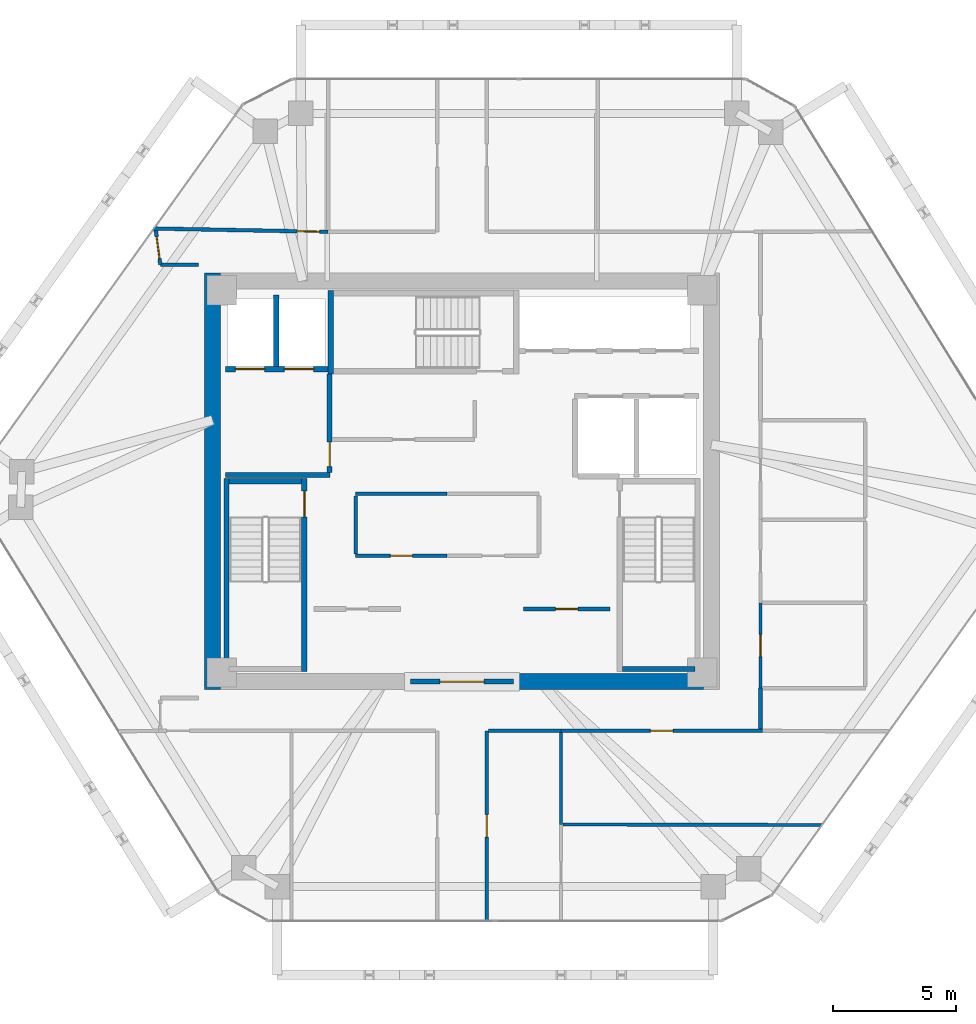
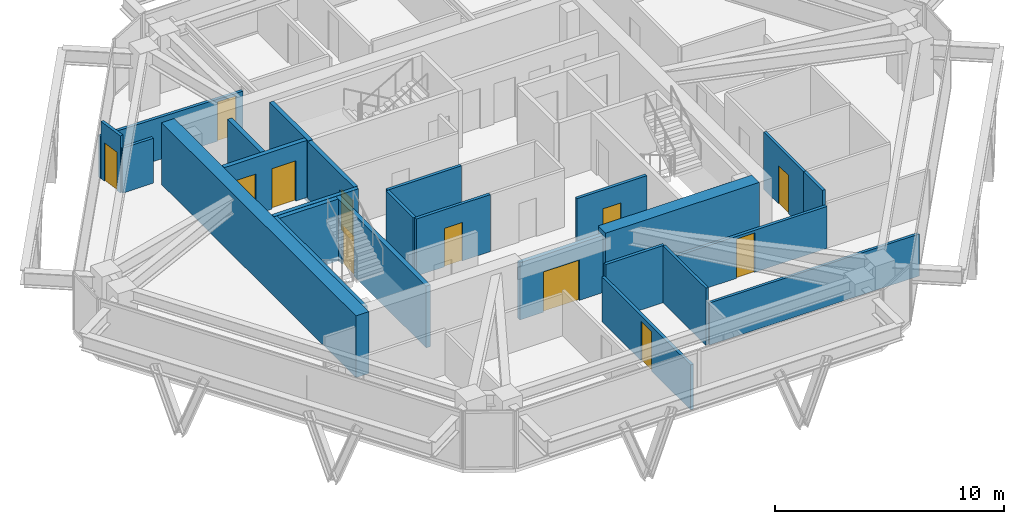
# One storey, part 8 of 11: 26 walls, 12 doors, 12 openings.
"""IFC4 building model written with IfcOpenShell, lengths in metres."""

from ifc_helpers import new_model, si_unit, direction, frame, frame_2d, origin, place, context, subcontext, project, spatial, rectangle, extrude, source, transform, mapped, material, layer, layer_set, type_object, type_shapes, element, fill, save


model = new_model("IFC4")

# Units and contexts
model_context = context("Model", 3, precision=1e-05, world=origin(), true_north=direction((0.0, 1.0)))
body_context = subcontext(model_context, "Body", "Model", "MODEL_VIEW")
ifc_project = project(units=[si_unit("LENGTHUNIT", "METRE"), si_unit("AREAUNIT", "SQUARE_METRE"), si_unit("VOLUMEUNIT", "CUBIC_METRE"), si_unit("PLANEANGLEUNIT", "RADIAN"), si_unit("MASSUNIT", "GRAM", prefix="KILO")], contexts=[model_context])

# Site, building, storey
site_placement = place(None, origin())
site = spatial("IfcSite", under=ifc_project, at=site_placement, CompositionType="ELEMENT")
building_placement = place(site_placement, origin())
building = spatial("IfcBuilding", under=site, at=building_placement, Name="Durnholm Broadcast Tower", CompositionType="ELEMENT")
storey_placement = place(building_placement, frame((0.0, 0.0, 183.699951171875)))
storey = spatial("IfcBuildingStorey", under=building, at=storey_placement, Name="L50", CompositionType="ELEMENT", Elevation=183.699951171875)

# Walls
ifc_material_1 = material(Name="Concrete C70/85", Category="concrete")
ifc_layer_1 = layer(ifc_material_1, 0.64990234375)
ifc_layer_set_1 = layer_set([ifc_layer_1], Name="Concrete C70/85")
wall_type_1 = type_object("IfcWallType", Name="WALL-CW-650", PredefinedType="SHEAR", material=ifc_layer_set_1)
wall_1_placement = place(storey_placement, frame((-10.175048828125, -8.5, 0.0), z_axis=(0.0, 0.0, 1.0), x_axis=(0.0, 1.0, 0.0)))
element("IfcWall", 1, at=wall_1_placement, inside=storey, type_object=wall_type_1, Name="L50 central core shear wall CW-WEST", PredefinedType="SHEAR", context=body_context, shape_type="SweptSolid", body=[
    extrude(rectangle(XDim=17.0, YDim=0.64990234375, at=frame_2d((8.5, 0.0))), origin(), (0.0, 0.0, 1.0), 3.300048828125),
])
wall_2_placement = place(storey_placement, frame((2.10009765625, -8.175048828125, 0.0), z_axis=(0.0, 0.0, 1.0), x_axis=(1.0, 0.0, 0.0)))
element("IfcWall", 2, at=wall_2_placement, inside=storey, type_object=wall_type_1, Name="L50 central core shear wall CW-S2", PredefinedType="SHEAR", context=body_context, shape_type="SweptSolid", body=[
    extrude(rectangle(XDim=7.75, YDim=0.64990234375, at=frame_2d((3.875, 0.0))), origin(), (0.0, 0.0, 1.0), 3.300048828125),
])

# Wall, opening, door
ifc_material_2 = material(Name="Fire-Rated Gypsum Shaftwall", Category="concrete")
ifc_layer_2 = layer(ifc_material_2, 0.199951171875)
ifc_layer_set_2 = layer_set([ifc_layer_2], Name="Fire-Rated Gypsum Shaftwall")
wall_type_2 = type_object("IfcWallType", Name="WALL-LOB-200", PredefinedType="SOLIDWALL", material=ifc_layer_set_2)
wall_3_placement = place(storey_placement, frame((-2.10009765625, -8.175048828125, 0.0), z_axis=(0.0, 0.0, 1.0), x_axis=(1.0, 0.0, 0.0)))
wall_3 = element("IfcWall", 3, at=wall_3_placement, inside=storey, type_object=wall_type_2, Name="L50 south core lobby fire screen", PredefinedType="SOLIDWALL", context=body_context, shape_type="SweptSolid", body=[
    extrude(rectangle(XDim=4.2001953125, YDim=0.199951171875, at=frame_2d((2.10009765625, 0.0))), origin(), (0.0, 0.0, 1.0), 3.045166015625),
])
opening_1_placement = place(wall_3_placement, frame((1.199951171875, 0.0, 0.0)))
opening_1 = element("IfcOpeningElement", 4, at=opening_1_placement, cuts=wall_3, Name="Opening DP-60", PredefinedType="OPENING", context=body_context, shape_type="SweptSolid", body=[
    extrude(rectangle(XDim=1.800048828125, YDim=2.14990234375, at=frame_2d((0.89990234375, 1.074951171875))), frame((0.0, 0.10986328125, 0.0), z_axis=(0.0, -1.0, 0.0), x_axis=(1.0, 0.0, 0.0)), (0.0, 0.0, 1.0), 0.219970703125),
])
ifc_material_3 = material(Name="Fire-Rated Double Corridor Door", Category="steel")
ifc_layer_3 = layer(ifc_material_3, 0.050048828125)
ifc_layer_set_3 = layer_set([ifc_layer_3], Name="Fire-Rated Double Corridor Door")
door_type_1 = type_object("IfcDoorType", Name="DOOR-PAIR-FD60", OperationType="DOUBLE_DOOR_SINGLE_SWING", PredefinedType="DOOR", material=ifc_layer_set_3)
shared_shape_1 = source(origin(), body_context, "Body", "SweptSolid", [
    extrude(rectangle(XDim=1.800048828125, YDim=2.14990234375, at=frame_2d((0.89990234375, 1.074951171875))), frame((0.0, 0.02490234375, 0.0), z_axis=(0.0, -1.0, 0.0), x_axis=(1.0, 0.0, 0.0)), (0.0, 0.0, 1.0), 0.050048828125),
])
type_shapes(door_type_1, [shared_shape_1])
door_1_placement = place(opening_1_placement, origin())
door_1 = element("IfcDoor", 5, at=door_1_placement, inside=storey, type_object=door_type_1, Name="L50 south core lobby double fire door", OperationType="DOUBLE_DOOR_SINGLE_SWING", OverallHeight=2.14990234375, OverallWidth=1.800048828125, PredefinedType="DOOR", context=body_context, shape_type="MappedRepresentation", body=[
    mapped(shared_shape_1, transform((0.0, 0.0, 0.0), x_axis=(1.0, 0.0, 0.0), y_axis=(0.0, 1.0, 0.0), z_axis=(0.0, 0.0, 1.0), scale=1.0)),
])
fill(opening_1, door_1)

# Wall
wall_4_placement = place(storey_placement, frame((-9.64990234375, 0.25, 0.0), z_axis=(0.0, 0.0, 1.0), x_axis=(1.0, 0.0, 0.0)))
element("IfcWall", 6, at=wall_4_placement, inside=storey, type_object=wall_type_2, Name="L50 Fire Service Access Elevator lobby south wall", PredefinedType="SOLIDWALL", context=body_context, shape_type="SweptSolid", body=[
    extrude(rectangle(XDim=4.27001953125, YDim=0.199951171875, at=frame_2d((2.135009765625, 0.0))), origin(), (0.0, 0.0, 1.0), 3.045166015625),
])

# Wall, opening, door
wall_5_placement = place(storey_placement, frame((-5.39990234375, 0.35400390625, 0.0), z_axis=(0.0, 0.0, 1.0), x_axis=(0.0, 1.0, 0.0)))
wall_5 = element("IfcWall", 7, at=wall_5_placement, inside=storey, type_object=wall_type_2, Name="L50 Fire Service Access Elevator lobby east fire wall", PredefinedType="SOLIDWALL", context=body_context, shape_type="SweptSolid", body=[
    extrude(rectangle(XDim=4.02587890625, YDim=0.199951171875, at=frame_2d((2.012939453125, 0.0))), origin(), (0.0, 0.0, 1.0), 3.045166015625),
])
opening_2_placement = place(wall_5_placement, frame((0.24609375, 0.0, 0.0)))
opening_2 = element("IfcOpeningElement", 8, at=opening_2_placement, cuts=wall_5, Name="Opening DL-60L", PredefinedType="OPENING", context=body_context, shape_type="SweptSolid", body=[
    extrude(rectangle(XDim=1.0, YDim=2.14990234375, at=frame_2d((0.5, 1.074951171875))), frame((0.0, 0.10986328125, 0.0), z_axis=(0.0, -1.0, 0.0), x_axis=(1.0, 0.0, 0.0)), (0.0, 0.0, 1.0), 0.219970703125),
])
ifc_material_4 = material(Name="Fire-Rated Timber/Steel Door", Category="steel")
ifc_layer_4 = layer(ifc_material_4, 0.050048828125)
ifc_layer_set_4 = layer_set([ifc_layer_4], Name="Fire-Rated Timber/Steel Door")
door_type_2 = type_object("IfcDoorType", Name="DOOR-LOB-FD60-L", OperationType="NOTDEFINED", PredefinedType="DOOR", material=ifc_layer_set_4)
shared_shape_2 = source(origin(), body_context, "Body", "SweptSolid", [
    extrude(rectangle(XDim=1.0, YDim=2.14990234375, at=frame_2d((0.5, 1.074951171875))), frame((0.0, 0.02490234375, 0.0), z_axis=(0.0, -1.0, 0.0), x_axis=(1.0, 0.0, 0.0)), (0.0, 0.0, 1.0), 0.050048828125),
])
type_shapes(door_type_2, [shared_shape_2])
door_2_placement = place(opening_2_placement, origin())
door_2 = element("IfcDoor", 9, at=door_2_placement, inside=storey, type_object=door_type_2, Name="L50 Fire Service Access Elevator lobby smoke door", OperationType="SINGLE_SWING_LEFT", OverallHeight=2.14990234375, OverallWidth=1.0, PredefinedType="DOOR", context=body_context, shape_type="MappedRepresentation", body=[
    mapped(shared_shape_2, transform((0.0, 0.0, 0.0), x_axis=(1.0, 0.0, 0.0), y_axis=(0.0, 1.0, 0.0), z_axis=(0.0, 0.0, 1.0), scale=1.0)),
])
fill(opening_2, door_2)

# Walls
ifc_material_5 = material(Name="Gypsum Metal Stud Partition", Category="concrete")
ifc_layer_5 = layer(ifc_material_5, 0.135009765625)
ifc_layer_set_5 = layer_set([ifc_layer_5], Name="Gypsum Metal Stud Partition")
wall_type_3 = type_object("IfcWallType", Name="WALL-PART-135", PredefinedType="PARTITIONING", material=ifc_layer_set_5)
wall_6_placement = place(storey_placement, frame((4.0400390625, -10.259033203125, 0.0), z_axis=(0.0, 0.0, 1.0), x_axis=(0.0, -1.0, 0.0)))
element("IfcWall", 10, at=wall_6_placement, inside=storey, type_object=wall_type_3, Name="L50 room dividing partition 15.17", PredefinedType="PARTITIONING", context=body_context, shape_type="SweptSolid", body=[
    extrude(rectangle(XDim=3.741943359375, YDim=0.135009765625, at=frame_2d((1.87109375, 0.0))), origin(), (0.0, 0.0, 1.0), 3.045166015625),
])
wall_7_placement = place(storey_placement, frame((4.111572265625, -14.001220703125, 0.0), z_axis=(0.0, 0.0, 1.0), x_axis=(0.999997597863, -0.002191864053, 0.0)))
element("IfcWall", 11, at=wall_7_placement, inside=storey, type_object=wall_type_3, Name="L50 room dividing partition 16.17", PredefinedType="PARTITIONING", context=body_context, shape_type="SweptSolid", body=[
    extrude(rectangle(XDim=10.58154296875, YDim=0.135009765625, at=frame_2d((5.290771484375, 0.0))), origin(), (0.0, 0.0, 1.0), 2.241943359375),
])

# Wall, opening, door
ifc_material_6 = material(Name="Acoustic Gypsum Stud Partition", Category="concrete")
ifc_layer_6 = layer(ifc_material_6, 0.14990234375)
ifc_layer_set_6 = layer_set([ifc_layer_6], Name="Acoustic Gypsum Stud Partition")
wall_type_4 = type_object("IfcWallType", Name="WALL-PART-150", PredefinedType="PARTITIONING", material=ifc_layer_set_6)
wall_8_placement = place(storey_placement, frame((2.510009765625, -5.2099609375, 0.0), z_axis=(0.0, 0.0, 1.0), x_axis=(1.0, 0.0, 0.0)))
wall_8 = element("IfcWall", 12, at=wall_8_placement, inside=storey, type_object=wall_type_4, Name="L50 Editorial Beverage Pantry corridor partition", PredefinedType="PARTITIONING", context=body_context, shape_type="SweptSolid", body=[
    extrude(rectangle(XDim=3.530029296875, YDim=0.14990234375, at=frame_2d((1.76513671875, 0.0))), origin(), (0.0, 0.0, 1.0), 3.045166015625),
])
opening_3_placement = place(wall_8_placement, frame((1.31494140625, 0.0, 0.0)))
opening_3 = element("IfcOpeningElement", 13, at=opening_3_placement, cuts=wall_8, Name="Opening DC-60R", PredefinedType="OPENING", context=body_context, shape_type="SweptSolid", body=[
    extrude(rectangle(XDim=0.89990234375, YDim=2.050048828125, at=frame_2d((0.449951171875, 1.02490234375))), frame((0.0, 0.0849609375, 0.0), z_axis=(0.0, -1.0, 0.0), x_axis=(1.0, 0.0, 0.0)), (0.0, 0.0, 1.0), 0.169921875),
])
ifc_material_7 = material(Name="Fire-Rated Core Service Door", Category="steel")
ifc_layer_7 = layer(ifc_material_7, 0.050048828125)
ifc_layer_set_7 = layer_set([ifc_layer_7], Name="Fire-Rated Core Service Door")
door_type_3 = type_object("IfcDoorType", Name="DOOR-CORE-FD60-R", OperationType="NOTDEFINED", PredefinedType="DOOR", material=ifc_layer_set_7)
shared_shape_3 = source(origin(), body_context, "Body", "SweptSolid", [
    extrude(rectangle(XDim=0.89990234375, YDim=2.050048828125, at=frame_2d((0.449951171875, 1.02490234375))), frame((0.0, 0.02490234375, 0.0), z_axis=(0.0, -1.0, 0.0), x_axis=(1.0, 0.0, 0.0)), (0.0, 0.0, 1.0), 0.050048828125),
])
type_shapes(door_type_3, [shared_shape_3])
door_3_placement = place(opening_3_placement, origin())
door_3 = element("IfcDoor", 14, at=door_3_placement, inside=storey, type_object=door_type_3, Name="L50 Editorial Beverage Pantry entrance door", OperationType="SINGLE_SWING_RIGHT", OverallHeight=2.050048828125, OverallWidth=0.89990234375, PredefinedType="DOOR", context=body_context, shape_type="MappedRepresentation", body=[
    mapped(shared_shape_3, transform((0.0, 0.0, 0.0), x_axis=(1.0, 0.0, 0.0), y_axis=(0.0, 1.0, 0.0), z_axis=(0.0, 0.0, 1.0), scale=1.0)),
])
fill(opening_3, door_3)

wall_9_placement = place(storey_placement, frame((-0.610107421875, -3.0400390625, 0.0), z_axis=(0.0, 0.0, 1.0), x_axis=(-1.0, 0.0, 0.0)))
wall_9 = element("IfcWall", 15, at=wall_9_placement, inside=storey, type_object=wall_type_4, Name="L50 Digital Tape Archive Store corridor partition", PredefinedType="PARTITIONING", context=body_context, shape_type="SweptSolid", body=[
    extrude(rectangle(XDim=3.72998046875, YDim=0.14990234375, at=frame_2d((1.864990234375, 0.0))), origin(), (0.0, 0.0, 1.0), 3.045166015625),
])
opening_4_placement = place(wall_9_placement, frame((1.4150390625, 0.0, 0.0)))
opening_4 = element("IfcOpeningElement", 16, at=opening_4_placement, cuts=wall_9, Name="Opening DC-60L", PredefinedType="OPENING", context=body_context, shape_type="SweptSolid", body=[
    extrude(rectangle(XDim=0.89990234375, YDim=2.050048828125, at=frame_2d((0.449951171875, 1.02490234375))), frame((0.0, 0.0849609375, 0.0), z_axis=(0.0, -1.0, 0.0), x_axis=(1.0, 0.0, 0.0)), (0.0, 0.0, 1.0), 0.169921875),
])
ifc_layer_8 = layer(ifc_material_7, 0.050048828125)
ifc_layer_set_8 = layer_set([ifc_layer_8], Name="Fire-Rated Core Service Door")
door_type_4 = type_object("IfcDoorType", Name="DOOR-CORE-FD60-L", OperationType="NOTDEFINED", PredefinedType="DOOR", material=ifc_layer_set_8)
shared_shape_4 = source(origin(), body_context, "Body", "SweptSolid", [
    extrude(rectangle(XDim=0.89990234375, YDim=2.050048828125, at=frame_2d((0.449951171875, 1.02490234375))), frame((0.0, 0.02490234375, 0.0), z_axis=(0.0, -1.0, 0.0), x_axis=(1.0, 0.0, 0.0)), (0.0, 0.0, 1.0), 0.050048828125),
])
type_shapes(door_type_4, [shared_shape_4])
door_4_placement = place(opening_4_placement, origin())
door_4 = element("IfcDoor", 17, at=door_4_placement, inside=storey, type_object=door_type_4, Name="L50 Digital Tape Archive Store entrance door", OperationType="SINGLE_SWING_LEFT", OverallHeight=2.050048828125, OverallWidth=0.89990234375, PredefinedType="DOOR", context=body_context, shape_type="MappedRepresentation", body=[
    mapped(shared_shape_4, transform((0.0, 0.0, 0.0), x_axis=(1.0, 0.0, 0.0), y_axis=(0.0, 1.0, 0.0), z_axis=(0.0, 0.0, 1.0), scale=1.0)),
])
fill(opening_4, door_4)

# Walls
wall_10_placement = place(storey_placement, frame((-4.340087890625, -0.510009765625, 0.0), z_axis=(0.0, 0.0, 1.0), x_axis=(1.0, 0.0, 0.0)))
element("IfcWall", 18, at=wall_10_placement, inside=storey, type_object=wall_type_4, Name="L50 Digital Tape Archive Store corridor partition", PredefinedType="PARTITIONING", context=body_context, shape_type="SweptSolid", body=[
    extrude(rectangle(XDim=3.72998046875, YDim=0.14990234375, at=frame_2d((1.864990234375, 0.0))), origin(), (0.0, 0.0, 1.0), 3.045166015625),
])
wall_11_placement = place(storey_placement, frame((-4.340087890625, -2.9609375, 0.0), z_axis=(0.0, 0.0, 1.0), x_axis=(0.0, 1.0, 0.0)))
element("IfcWall", 19, at=wall_11_placement, inside=storey, type_object=wall_type_4, Name="L50 Digital Tape Archive Store corridor partition", PredefinedType="PARTITIONING", context=body_context, shape_type="SweptSolid", body=[
    extrude(rectangle(XDim=2.371826171875, YDim=0.14990234375, at=frame_2d((1.18603515625, 0.0))), origin(), (0.0, 0.0, 1.0), 3.045166015625),
])

# Wall, opening, door
wall_12_placement = place(storey_placement, frame((-5.4599609375, 10.179931640625, 0.0), z_axis=(0.0, 0.0, 1.0), x_axis=(-0.99981828266, 0.019063096779, 0.0)))
wall_12 = element("IfcWall", 20, at=wall_12_placement, inside=storey, type_object=wall_type_4, Name="L50 Open Plan Broadcast Workspace 2 corridor partition", PredefinedType="PARTITIONING", context=body_context, shape_type="SweptSolid", body=[
    extrude(rectangle(XDim=7.12060546875, YDim=0.14990234375, at=frame_2d((3.560302734375, 0.0))), origin(), (0.0, 0.0, 1.0), 2.241943359375),
])
opening_5_placement = place(wall_12_placement, frame((0.35009765625, 0.0, 0.0)))
opening_5 = element("IfcOpeningElement", 21, at=opening_5_placement, cuts=wall_12, Name="Opening DR-92L", PredefinedType="OPENING", context=body_context, shape_type="SweptSolid", body=[
    extrude(rectangle(XDim=0.919921875, YDim=2.10009765625, at=frame_2d((0.4599609375, 1.050048828125))), frame((0.0, 0.0849609375, 0.0), z_axis=(0.0, -1.0, 0.0), x_axis=(1.0, 0.0, 0.0)), (0.0, 0.0, 1.0), 0.169921875),
])
ifc_material_8 = material(Name="Oak Veneer Office Door", Category="wood")
ifc_layer_9 = layer(ifc_material_8, 0.050048828125)
ifc_layer_set_9 = layer_set([ifc_layer_9], Name="Oak Veneer Office Door")
door_type_5 = type_object("IfcDoorType", Name="DOOR-RM-920L", OperationType="NOTDEFINED", PredefinedType="DOOR", material=ifc_layer_set_9)
shared_shape_5 = source(origin(), body_context, "Body", "SweptSolid", [
    extrude(rectangle(XDim=0.919921875, YDim=2.10009765625, at=frame_2d((0.4599609375, 1.050048828125))), frame((0.0, 0.02490234375, 0.0), z_axis=(0.0, -1.0, 0.0), x_axis=(1.0, 0.0, 0.0)), (0.0, 0.0, 1.0), 0.050048828125),
])
type_shapes(door_type_5, [shared_shape_5])
door_5_placement = place(opening_5_placement, origin())
door_5 = element("IfcDoor", 22, at=door_5_placement, inside=storey, type_object=door_type_5, Name="L50 Open Plan Broadcast Workspace 2 entrance door", OperationType="SINGLE_SWING_LEFT", OverallHeight=2.10009765625, OverallWidth=0.919921875, PredefinedType="DOOR", context=body_context, shape_type="MappedRepresentation", body=[
    mapped(shared_shape_5, transform((0.0, 0.0, 0.0), x_axis=(1.0, 0.0, 0.0), y_axis=(0.0, 1.0, 0.0), z_axis=(0.0, 0.0, 1.0), scale=1.0)),
])
fill(opening_5, door_5)

wall_13_placement = place(storey_placement, frame((1.010009765625, -17.94189453125, 0.0), z_axis=(0.0, 0.0, 1.0), x_axis=(0.0, 1.0, 0.0)))
wall_13 = element("IfcWall", 23, at=wall_13_placement, inside=storey, type_object=wall_type_4, Name="L50 Design Critique Lounge corridor partition", PredefinedType="PARTITIONING", context=body_context, shape_type="SweptSolid", body=[
    extrude(rectangle(XDim=7.761962890625, YDim=0.14990234375, at=frame_2d((3.880859375, 0.0))), origin(), (0.0, 0.0, 1.0), 2.39892578125),
])
opening_6_placement = place(wall_13_placement, frame((3.4208984375, 0.0, 0.0)))
opening_6 = element("IfcOpeningElement", 24, at=opening_6_placement, cuts=wall_13, Name="Opening DR-92L", PredefinedType="OPENING", context=body_context, shape_type="SweptSolid", body=[
    extrude(rectangle(XDim=0.919921875, YDim=2.10009765625, at=frame_2d((0.4599609375, 1.050048828125))), frame((0.0, 0.0849609375, 0.0), z_axis=(0.0, -1.0, 0.0), x_axis=(1.0, 0.0, 0.0)), (0.0, 0.0, 1.0), 0.169921875),
])
door_6_placement = place(opening_6_placement, origin())
door_6 = element("IfcDoor", 25, at=door_6_placement, inside=storey, type_object=door_type_5, Name="L50 Design Critique Lounge entrance door", OperationType="SINGLE_SWING_LEFT", OverallHeight=2.10009765625, OverallWidth=0.919921875, PredefinedType="DOOR", context=body_context, shape_type="MappedRepresentation", body=[
    mapped(shared_shape_5, transform((0.0, 0.0, 0.0), x_axis=(1.0, 0.0, 0.0), y_axis=(0.0, 1.0, 0.0), z_axis=(0.0, 0.0, 1.0), scale=1.0)),
])
fill(opening_6, door_6)

# Wall
wall_14_placement = place(storey_placement, frame((1.089111328125, -10.179931640625, 0.0), z_axis=(0.0, 0.0, 1.0), x_axis=(1.0, 0.0, 0.0)))
element("IfcWall", 26, at=wall_14_placement, inside=storey, type_object=wall_type_4, Name="L50 Design Critique Lounge corridor partition", PredefinedType="PARTITIONING", context=body_context, shape_type="SweptSolid", body=[
    extrude(rectangle(XDim=2.950927734375, YDim=0.14990234375, at=frame_2d((1.4755859375, 0.0))), origin(), (0.0, 0.0, 1.0), 3.045166015625),
])

# Wall, opening, door
wall_15_placement = place(storey_placement, frame((4.0400390625, -10.179931640625, 0.0), z_axis=(0.0, 0.0, 1.0), x_axis=(1.0, 0.0, 0.0)))
wall_15 = element("IfcWall", 27, at=wall_15_placement, inside=storey, type_object=wall_type_4, Name="L50 Subscriber Viewing Lounge 2 corridor partition", PredefinedType="PARTITIONING", context=body_context, shape_type="SweptSolid", body=[
    extrude(rectangle(XDim=8.219970703125, YDim=0.14990234375, at=frame_2d((4.10986328125, 0.0))), origin(), (0.0, 0.0, 1.0), 2.241943359375),
])
opening_7_placement = place(wall_15_placement, frame((3.64990234375, 0.0, 0.0)))
opening_7 = element("IfcOpeningElement", 28, at=opening_7_placement, cuts=wall_15, Name="Opening DR-92R", PredefinedType="OPENING", context=body_context, shape_type="SweptSolid", body=[
    extrude(rectangle(XDim=0.919921875, YDim=2.10009765625, at=frame_2d((0.4599609375, 1.050048828125))), frame((0.0, 0.0849609375, 0.0), z_axis=(0.0, -1.0, 0.0), x_axis=(1.0, 0.0, 0.0)), (0.0, 0.0, 1.0), 0.169921875),
])
ifc_layer_10 = layer(ifc_material_8, 0.050048828125)
ifc_layer_set_10 = layer_set([ifc_layer_10], Name="Oak Veneer Office Door")
door_type_6 = type_object("IfcDoorType", Name="DOOR-RM-920R", OperationType="NOTDEFINED", PredefinedType="DOOR", material=ifc_layer_set_10)
shared_shape_6 = source(origin(), body_context, "Body", "SweptSolid", [
    extrude(rectangle(XDim=0.919921875, YDim=2.10009765625, at=frame_2d((0.4599609375, 1.050048828125))), frame((0.0, 0.02490234375, 0.0), z_axis=(0.0, -1.0, 0.0), x_axis=(1.0, 0.0, 0.0)), (0.0, 0.0, 1.0), 0.050048828125),
])
type_shapes(door_type_6, [shared_shape_6])
door_7_placement = place(opening_7_placement, origin())
door_7 = element("IfcDoor", 29, at=door_7_placement, inside=storey, type_object=door_type_6, Name="L50 Subscriber Viewing Lounge 2 entrance door", OperationType="SINGLE_SWING_RIGHT", OverallHeight=2.10009765625, OverallWidth=0.919921875, PredefinedType="DOOR", context=body_context, shape_type="MappedRepresentation", body=[
    mapped(shared_shape_6, transform((0.0, 0.0, 0.0), x_axis=(1.0, 0.0, 0.0), y_axis=(0.0, 1.0, 0.0), z_axis=(0.0, 0.0, 1.0), scale=1.0)),
])
fill(opening_7, door_7)

# Wall
wall_16_placement = place(storey_placement, frame((-12.31005859375, 8.840087890625, 0.0), z_axis=(0.0, 0.0, 1.0), x_axis=(1.0, 0.0, 0.0)))
element("IfcWall", 30, at=wall_16_placement, inside=storey, type_object=wall_type_4, Name="L50 Streaming Auditorium corridor partition", PredefinedType="PARTITIONING", context=body_context, shape_type="SweptSolid", body=[
    extrude(rectangle(XDim=1.550048828125, YDim=0.14990234375, at=frame_2d((0.77490234375, 0.0))), origin(), (0.0, 0.0, 1.0), 2.39892578125),
])

# Wall, opening, door
wall_17_placement = place(storey_placement, frame((-12.491943359375, 10.23486328125, 0.0), z_axis=(0.0, 0.0, 1.0), x_axis=(0.129309502928, -0.991604282187, 0.0)))
wall_17 = element("IfcWall", 31, at=wall_17_placement, inside=storey, type_object=wall_type_4, Name="L50 Streaming Auditorium corridor partition", PredefinedType="PARTITIONING", context=body_context, shape_type="SweptSolid", body=[
    extrude(rectangle(XDim=1.406494140625, YDim=0.14990234375, at=frame_2d((0.703125, 0.0))), origin(), (0.0, 0.0, 1.0), 3.045166015625),
])
opening_8_placement = place(wall_17_placement, frame((0.25341796875, 0.0, 0.0)))
opening_8 = element("IfcOpeningElement", 32, at=opening_8_placement, cuts=wall_17, Name="Opening DW-90R", PredefinedType="OPENING", context=body_context, shape_type="SweptSolid", body=[
    extrude(rectangle(XDim=0.89990234375, YDim=2.050048828125, at=frame_2d((0.449951171875, 1.02490234375))), frame((0.0, 0.0849609375, 0.0), z_axis=(0.0, -1.0, 0.0), x_axis=(1.0, 0.0, 0.0)), (0.0, 0.0, 1.0), 0.169921875),
])
ifc_material_9 = material(Name="Laminate Restroom Door", Category="steel")
ifc_layer_11 = layer(ifc_material_9, 0.050048828125)
ifc_layer_set_11 = layer_set([ifc_layer_11], Name="Laminate Restroom Door")
door_type_7 = type_object("IfcDoorType", Name="DOOR-WC-900R", OperationType="NOTDEFINED", PredefinedType="DOOR", material=ifc_layer_set_11)
shared_shape_7 = source(origin(), body_context, "Body", "SweptSolid", [
    extrude(rectangle(XDim=0.89990234375, YDim=2.050048828125, at=frame_2d((0.449951171875, 1.02490234375))), frame((0.0, 0.02490234375, 0.0), z_axis=(0.0, -1.0, 0.0), x_axis=(1.0, 0.0, 0.0)), (0.0, 0.0, 1.0), 0.050048828125),
])
type_shapes(door_type_7, [shared_shape_7])
door_8_placement = place(opening_8_placement, origin())
door_8 = element("IfcDoor", 33, at=door_8_placement, inside=storey, type_object=door_type_7, Name="L50 Streaming Auditorium entrance door", OperationType="SINGLE_SWING_RIGHT", OverallHeight=2.050048828125, OverallWidth=0.89990234375, PredefinedType="DOOR", context=body_context, shape_type="MappedRepresentation", body=[
    mapped(shared_shape_7, transform((0.0, 0.0, 0.0), x_axis=(1.0, 0.0, 0.0), y_axis=(0.0, 1.0, 0.0), z_axis=(0.0, 0.0, 1.0), scale=1.0)),
])
fill(opening_8, door_8)

# Wall
wall_18_placement = place(storey_placement, frame((12.179931640625, -10.10107421875, 0.0), z_axis=(0.0, 0.0, 1.0), x_axis=(0.0, 1.0, 0.0)))
element("IfcWall", 34, at=wall_18_placement, inside=storey, type_object=wall_type_4, Name="L50 Open Plan Broadcast Workspace 1 corridor partition", PredefinedType="PARTITIONING", context=body_context, shape_type="SweptSolid", body=[
    extrude(rectangle(XDim=1.6611328125, YDim=0.14990234375, at=frame_2d((0.83056640625, 0.0))), origin(), (0.0, 0.0, 1.0), 3.045166015625),
])

# Wall, openings, doors
ifc_material_10 = material(Name="Concrete Blockwork C30/37", Category="masonry")
ifc_layer_12 = layer(ifc_material_10, 0.219970703125)
ifc_layer_set_12 = layer_set([ifc_layer_12], Name="Concrete Blockwork C30/37")
wall_type_5 = type_object("IfcWallType", Name="WALL-SHAFT-220", PredefinedType="SOLIDWALL", material=ifc_layer_set_12)
wall_19_placement = place(storey_placement, frame((-9.64990234375, 4.580078125, 0.0), z_axis=(0.0, 0.0, 1.0), x_axis=(1.0, 0.0, 0.0)))
wall_19 = element("IfcWall", 35, at=wall_19_placement, inside=storey, type_object=wall_type_5, Name="L50 FSAE hoistway front fire wall", PredefinedType="SOLIDWALL", context=body_context, shape_type="SweptSolid", body=[
    extrude(rectangle(XDim=4.1748046875, YDim=0.219970703125, at=frame_2d((2.08740234375, 0.0))), origin(), (0.0, 0.0, 1.0), 3.045166015625),
])
opening_9_placement = place(wall_19_placement, frame((0.39990234375, 0.0, 0.0)))
opening_9 = element("IfcOpeningElement", 36, at=opening_9_placement, cuts=wall_19, Name="Opening LD-FSAE-2", PredefinedType="OPENING", context=body_context, shape_type="SweptSolid", body=[
    extrude(rectangle(XDim=1.199951171875, YDim=2.14990234375, at=frame_2d((0.60009765625, 1.074951171875))), frame((0.0, 0.1201171875, 0.0), z_axis=(0.0, -1.0, 0.0), x_axis=(1.0, 0.0, 0.0)), (0.0, 0.0, 1.0), 0.239990234375),
])
opening_10_placement = place(wall_19_placement, frame((2.39990234375, 0.0, 0.0)))
opening_10 = element("IfcOpeningElement", 37, at=opening_10_placement, cuts=wall_19, Name="Opening LD-FSAE-1", PredefinedType="OPENING", context=body_context, shape_type="SweptSolid", body=[
    extrude(rectangle(XDim=1.199951171875, YDim=2.14990234375, at=frame_2d((0.60009765625, 1.074951171875))), frame((0.0, 0.1201171875, 0.0), z_axis=(0.0, -1.0, 0.0), x_axis=(1.0, 0.0, 0.0)), (0.0, 0.0, 1.0), 0.239990234375),
])
ifc_material_11 = material(Name="Fire Service Access Sliding Landing Door", Category="steel")
ifc_layer_13 = layer(ifc_material_11, 0.050048828125)
ifc_layer_set_13 = layer_set([ifc_layer_13], Name="Fire Service Access Sliding Landing Door")
door_type_8 = type_object("IfcDoorType", Name="DOOR-LIFT-FSAE", OperationType="DOUBLE_DOOR_SLIDING", PredefinedType="DOOR", material=ifc_layer_set_13)
shared_shape_8 = source(origin(), body_context, "Body", "SweptSolid", [
    extrude(rectangle(XDim=1.199951171875, YDim=2.14990234375, at=frame_2d((0.60009765625, 1.074951171875))), frame((0.0, 0.02490234375, 0.0), z_axis=(0.0, -1.0, 0.0), x_axis=(1.0, 0.0, 0.0)), (0.0, 0.0, 1.0), 0.050048828125),
])
type_shapes(door_type_8, [shared_shape_8])
door_9_placement = place(opening_9_placement, origin())
door_9 = element("IfcDoor", 38, at=door_9_placement, inside=storey, type_object=door_type_8, Name="L50 Fire Service Access Elevator FSAE-2 sliding landing door", OperationType="DOUBLE_DOOR_SLIDING", OverallHeight=2.14990234375, OverallWidth=1.199951171875, PredefinedType="DOOR", context=body_context, shape_type="MappedRepresentation", body=[
    mapped(shared_shape_8, transform((0.0, 0.0, 0.0), x_axis=(1.0, 0.0, 0.0), y_axis=(0.0, 1.0, 0.0), z_axis=(0.0, 0.0, 1.0), scale=1.0)),
])
fill(opening_9, door_9)
door_10_placement = place(opening_10_placement, origin())
door_10 = element("IfcDoor", 39, at=door_10_placement, inside=storey, type_object=door_type_8, Name="L50 Fire Service Access Elevator FSAE-1 sliding landing door", OperationType="DOUBLE_DOOR_SLIDING", OverallHeight=2.14990234375, OverallWidth=1.199951171875, PredefinedType="DOOR", context=body_context, shape_type="MappedRepresentation", body=[
    mapped(shared_shape_8, transform((0.0, 0.0, 0.0), x_axis=(1.0, 0.0, 0.0), y_axis=(0.0, 1.0, 0.0), z_axis=(0.0, 0.0, 1.0), scale=1.0)),
])
fill(opening_10, door_10)

# Wall
wall_20_placement = place(storey_placement, frame((-7.580078125, 4.694091796875, 0.0), z_axis=(0.0, 0.0, 1.0), x_axis=(0.0, 1.0, 0.0)))
element("IfcWall", 40, at=wall_20_placement, inside=storey, type_object=wall_type_5, Name="L50 FSAE shaft divider wall", PredefinedType="SOLIDWALL", context=body_context, shape_type="SweptSolid", body=[
    extrude(rectangle(XDim=2.906005859375, YDim=0.219970703125, at=frame_2d((1.453125, 0.0))), origin(), (0.0, 0.0, 1.0), 3.045166015625),
])

# Wall, opening, door
ifc_material_12 = material(Name="Concrete C50/60", Category="concrete")
ifc_layer_14 = layer(ifc_material_12, 0.219970703125)
ifc_layer_set_14 = layer_set([ifc_layer_14], Name="Concrete C50/60")
wall_type_6 = type_object("IfcWallType", Name="WALL-SW-220", PredefinedType="SHEAR", material=ifc_layer_set_14)
wall_21_placement = place(storey_placement, frame((-6.429931640625, -7.77001953125, -0.239990234375), z_axis=(0.0, 0.0, 1.0), x_axis=(0.0, 1.0, 0.0)))
wall_21 = element("IfcWall", 41, at=wall_21_placement, inside=storey, type_object=wall_type_6, Name="L50 stair ST-1 structural shaft wall E", PredefinedType="SHEAR", context=body_context, shape_type="SweptSolid", body=[
    extrude(rectangle(XDim=7.89013671875, YDim=0.219970703125, at=frame_2d((3.945068359375, 0.0))), origin(), (0.0, 0.0, 1.0), 3.300048828125),
])
opening_11_placement = place(wall_21_placement, frame((6.320068359375, 0.0, 0.0)))
opening_11 = element("IfcOpeningElement", 42, at=opening_11_placement, cuts=wall_21, Name="Opening DS-90L", PredefinedType="OPENING", context=body_context, shape_type="SweptSolid", body=[
    extrude(rectangle(XDim=1.050048828125, YDim=2.14990234375, at=frame_2d((0.52490234375, 1.074951171875))), frame((0.0, 0.1201171875, 0.0), z_axis=(0.0, -1.0, 0.0), x_axis=(1.0, 0.0, 0.0)), (0.0, 0.0, 1.0), 0.239990234375),
])
ifc_material_13 = material(Name="Fire-Rated Steel Door", Category="steel")
ifc_layer_15 = layer(ifc_material_13, 0.050048828125)
ifc_layer_set_15 = layer_set([ifc_layer_15], Name="Fire-Rated Steel Door")
door_type_9 = type_object("IfcDoorType", Name="DOOR-ST-FD90-L", OperationType="NOTDEFINED", PredefinedType="DOOR", material=ifc_layer_set_15)
shared_shape_9 = source(origin(), body_context, "Body", "SweptSolid", [
    extrude(rectangle(XDim=1.050048828125, YDim=2.14990234375, at=frame_2d((0.52490234375, 1.074951171875))), frame((0.0, 0.02490234375, 0.0), z_axis=(0.0, -1.0, 0.0), x_axis=(1.0, 0.0, 0.0)), (0.0, 0.0, 1.0), 0.050048828125),
])
type_shapes(door_type_9, [shared_shape_9])
door_11_placement = place(opening_11_placement, origin())
door_11 = element("IfcDoor", 43, at=door_11_placement, inside=storey, type_object=door_type_9, Name="L50 exit stair ST-1 fire door", OperationType="SINGLE_SWING_LEFT", OverallHeight=2.14990234375, OverallWidth=1.050048828125, PredefinedType="DOOR", context=body_context, shape_type="MappedRepresentation", body=[
    mapped(shared_shape_9, transform((0.0, 0.0, 0.0), x_axis=(1.0, 0.0, 0.0), y_axis=(0.0, 1.0, 0.0), z_axis=(0.0, 0.0, 1.0), scale=1.0)),
])
fill(opening_11, door_11)

# Walls
wall_22_placement = place(storey_placement, frame((-9.610107421875, 0.1201171875, -0.239990234375), z_axis=(0.0, 0.0, 1.0), x_axis=(0.0, -1.0, 0.0)))
element("IfcWall", 44, at=wall_22_placement, inside=storey, type_object=wall_type_6, Name="L50 stair ST-1 structural shaft wall W", PredefinedType="SHEAR", context=body_context, shape_type="SweptSolid", body=[
    extrude(rectangle(XDim=7.89013671875, YDim=0.219970703125, at=frame_2d((3.945068359375, 0.0))), origin(), (0.0, 0.0, 1.0), 3.300048828125),
])
for number, where, z_axis, x_axis, name in (
    (45, (-6.5400390625, 0.010009765625, -0.239990234375), (0.0, 0.0, 1.0), (-1.0, 0.0, 0.0), "L50 stair ST-1 structural shaft wall N"),
    (46, (6.5400390625, -7.659912109375, -0.239990234375), (0.0, 0.0, 1.0), (1.0, 0.0, 0.0), "L50 stair ST-2 structural shaft wall S"),
):
    element("IfcWall", number, at=place(storey_placement, frame(where, z_axis=z_axis, x_axis=x_axis)), inside=storey, type_object=wall_type_6, Name=name, PredefinedType="SHEAR", context=body_context, shape_type="SweptSolid", body=[
        extrude(rectangle(XDim=2.9599609375, YDim=0.219970703125, at=frame_2d((1.47998046875, 0.0))), origin(), (0.0, 0.0, 1.0), 3.300048828125),
    ])
wall_23_placement = place(storey_placement, frame((-5.360107421875, 7.780029296875, -0.239990234375), z_axis=(0.0, 0.0, 1.0), x_axis=(0.0, -1.0, 0.0)))
element("IfcWall", 47, at=wall_23_placement, inside=storey, type_object=wall_type_6, Name="L50 stair ST-3 structural shaft wall W", PredefinedType="SHEAR", context=body_context, shape_type="SweptSolid", body=[
    extrude(rectangle(XDim=3.400146484375, YDim=0.219970703125, at=frame_2d((1.7001953125, 0.0))), origin(), (0.0, 0.0, 1.0), 3.300048828125),
])

# Wall, opening, door
ifc_material_14 = material(Name="Moisture-Resistant Tile Partition", Category="concrete")
ifc_layer_16 = layer(ifc_material_14, 0.139892578125)
ifc_layer_set_16 = layer_set([ifc_layer_16], Name="Moisture-Resistant Tile Partition")
wall_type_7 = type_object("IfcWallType", Name="WALL-WC-140", PredefinedType="PARTITIONING", material=ifc_layer_set_16)
wall_24_placement = place(storey_placement, frame((12.179931640625, -8.43994140625, 0.0), z_axis=(0.0, 0.0, 1.0), x_axis=(0.0, 1.0, 0.0)))
wall_24 = element("IfcWall", 48, at=wall_24_placement, inside=storey, type_object=wall_type_7, Name="L50 Men's Restroom corridor partition", PredefinedType="PARTITIONING", context=body_context, shape_type="SweptSolid", body=[
    extrude(rectangle(XDim=3.47998046875, YDim=0.139892578125, at=frame_2d((1.739990234375, 0.0))), origin(), (0.0, 0.0, 1.0), 3.045166015625),
])
opening_12_placement = place(wall_24_placement, frame((1.2900390625, 0.0, 0.0)))
opening_12 = element("IfcOpeningElement", 49, at=opening_12_placement, cuts=wall_24, Name="Opening DW-90R", PredefinedType="OPENING", context=body_context, shape_type="SweptSolid", body=[
    extrude(rectangle(XDim=0.89990234375, YDim=2.050048828125, at=frame_2d((0.449951171875, 1.02490234375))), frame((0.0, 0.080078125, 0.0), z_axis=(0.0, -1.0, 0.0), x_axis=(1.0, 0.0, 0.0)), (0.0, 0.0, 1.0), 0.159912109375),
])
door_12_placement = place(opening_12_placement, origin())
door_12 = element("IfcDoor", 50, at=door_12_placement, inside=storey, type_object=door_type_7, Name="L50 Men's Restroom entrance door", OperationType="SINGLE_SWING_RIGHT", OverallHeight=2.050048828125, OverallWidth=0.89990234375, PredefinedType="DOOR", context=body_context, shape_type="MappedRepresentation", body=[
    mapped(shared_shape_7, transform((0.0, 0.0, 0.0), x_axis=(1.0, 0.0, 0.0), y_axis=(0.0, 1.0, 0.0), z_axis=(0.0, 0.0, 1.0), scale=1.0)),
])
fill(opening_12, door_12)

save(model, "model.ifc")
